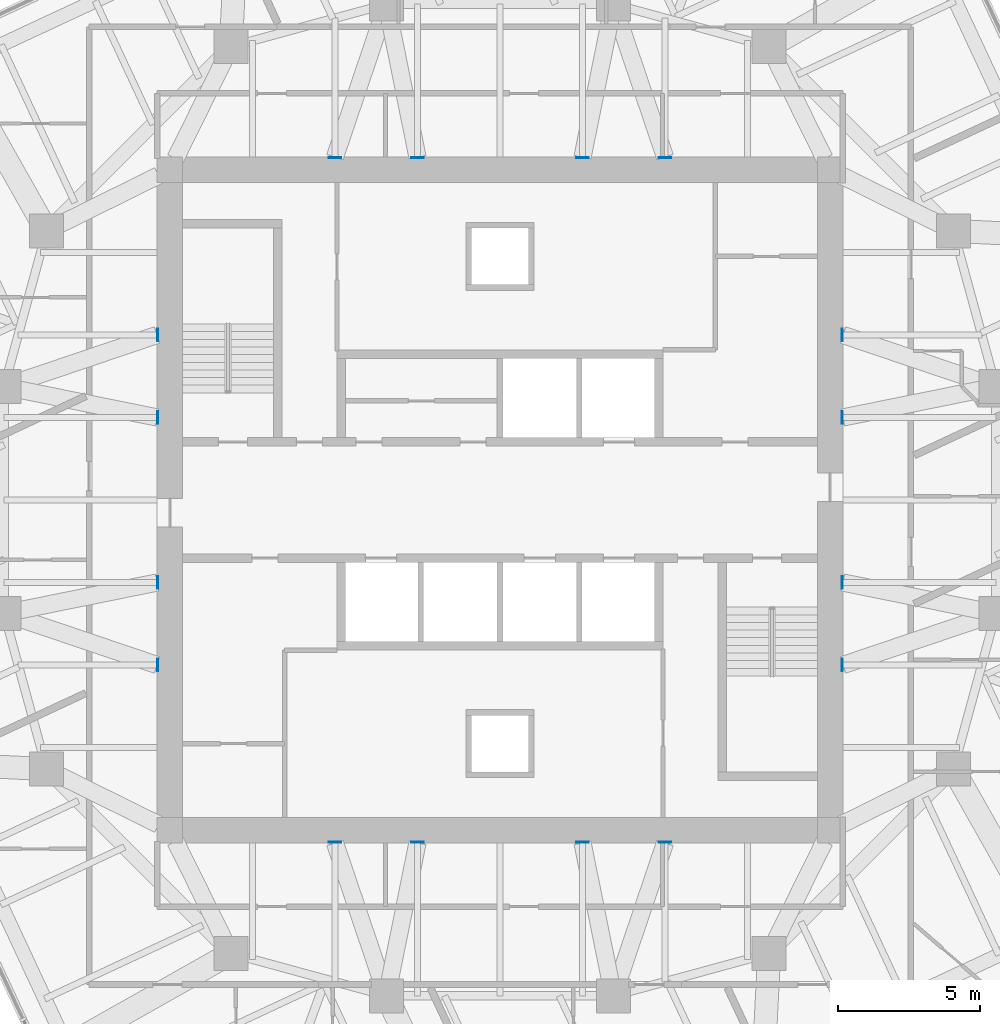
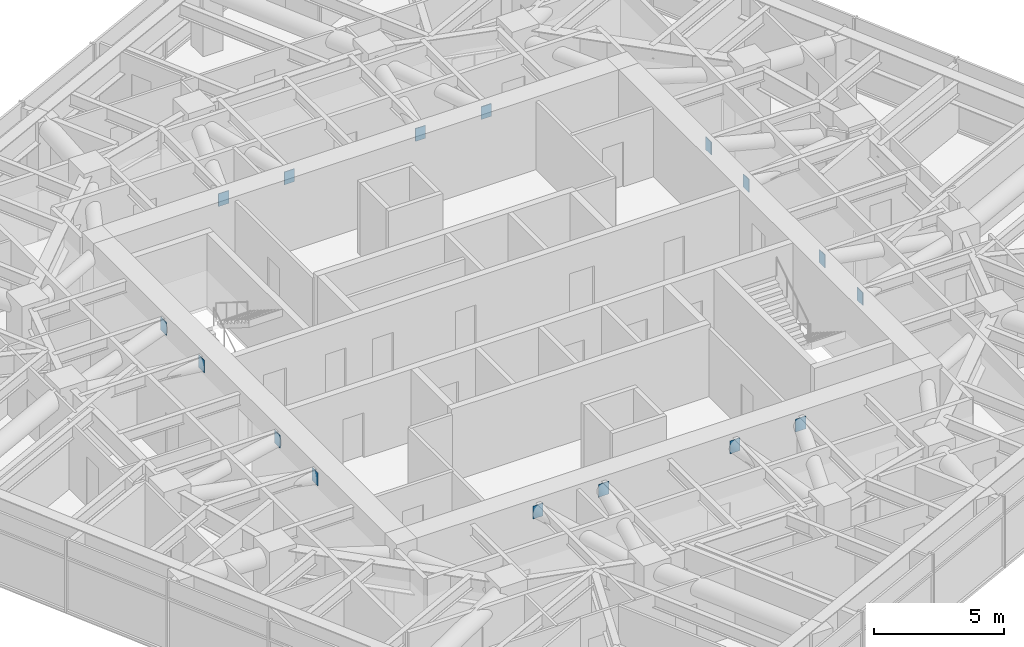
# One storey, part 15 of 16: 16 discrete accessories.
"""IFC4 building model written with IfcOpenShell, lengths in metres."""

import ifcopenshell
import ifcopenshell.guid

model = None  # the IFC model being written
_history = None  # IfcOwnerHistory: only IFC2X3 demands one
_inside = {}  # id of a spatial element -> (the spatial element, [elements in it])
_under = {}  # id of a project, library or spatial element -> (it, [spatial elements below it])
_declared = {}  # id of a project -> (the project, [libraries it declares])
_typed = {}  # id of a type object -> (the type object, [elements of that type])
_made_of = {}  # id of a material, layer set ... -> (it, [elements and type objects made of it])


def new_model(schema):
    """Start an empty IFC model of exactly this schema.

    Asked for "IFC4X3", IfcOpenShell would pick the latest addendum, in which some entities
    have other attributes; the version numbers below select the first issue.
    IFC2X3 requires an IfcOwnerHistory on every rooted entity: one is made here for all.
    """
    global model, _history
    if schema == "IFC4X3":
        model = ifcopenshell.file(schema_version=(4, 3, 0, 0))
    else:
        model = ifcopenshell.file(schema=schema)
    _inside.clear()
    _under.clear()
    _declared.clear()
    _typed.clear()
    _made_of.clear()
    _history = None
    if model.schema == "IFC2X3":
        org = make("IfcOrganization", Name="unknown")
        user = make(
            "IfcPersonAndOrganization",
            ThePerson=make("IfcPerson", FamilyName="unknown"),
            TheOrganization=org,
        )
        app = make(
            "IfcApplication",
            ApplicationDeveloper=org,
            Version="unknown",
            ApplicationFullName="unknown",
            ApplicationIdentifier="unknown",
        )
        _history = make(
            "IfcOwnerHistory",
            OwningUser=user,
            OwningApplication=app,
            ChangeAction="ADDED",
            CreationDate=0,
        )
    return model


def make(cls, **values):
    """One entity of the class cls with the attributes given. An attribute that is None is left unset."""
    return model.create_entity(
        cls, **{name: value for name, value in values.items() if value is not None}
    )


def rooted(cls, **values):
    """An entity with a GlobalId (a new one), such as an element, a storey or a relation."""
    return make(cls, GlobalId=ifcopenshell.guid.new(), OwnerHistory=_history, **values)


def si_unit(unit_type, name, prefix=None):
    """IfcSIUnit, for example si_unit("LENGTHUNIT", "METRE", prefix="MILLI")."""
    return make("IfcSIUnit", UnitType=unit_type, Prefix=prefix, Name=name)


def assignment(units):
    """IfcUnitAssignment: the units of a project."""
    return None if units is None else make("IfcUnitAssignment", Units=units)


def point(xyz):
    """IfcCartesianPoint."""
    return None if xyz is None else make("IfcCartesianPoint", Coordinates=xyz)


def direction(xyz):
    """IfcDirection."""
    return None if xyz is None else make("IfcDirection", DirectionRatios=xyz)


def frame(location, z_axis=None, x_axis=None):
    """IfcAxis2Placement3D, a coordinate frame: its origin and axes. An axis left out is left unset."""
    return make(
        "IfcAxis2Placement3D",
        Location=point(location),
        Axis=direction(z_axis),
        RefDirection=direction(x_axis),
    )


def frame_2d(location, x_axis=None):
    """IfcAxis2Placement2D, a coordinate frame in the plane: its origin and x axis."""
    return make(
        "IfcAxis2Placement2D", Location=point(location), RefDirection=direction(x_axis)
    )


def origin():
    """The frame at (0, 0, 0) with its axes left unset."""
    return frame((0.0, 0.0, 0.0))


def origin_2d():
    """The frame at (0, 0) in the plane with its x axis left unset."""
    return frame_2d((0.0, 0.0))


def place(relative_to, where):
    """IfcLocalPlacement: puts the frame where relative to a parent placement (None: the world)."""
    return make(
        "IfcLocalPlacement", PlacementRelTo=relative_to, RelativePlacement=where
    )


def context(
    kind, dimensions, precision=None, world=None, true_north=None, identifier=None
):
    """IfcGeometricRepresentationContext, for example the 3D "Model" context."""
    return make(
        "IfcGeometricRepresentationContext",
        ContextIdentifier=identifier,
        ContextType=kind,
        CoordinateSpaceDimension=dimensions,
        Precision=precision,
        WorldCoordinateSystem=world,
        TrueNorth=true_north,
    )


def subcontext(parent, identifier, kind, view, scale=None):
    """IfcGeometricRepresentationSubContext, for example "Body" below "Model"."""
    return make(
        "IfcGeometricRepresentationSubContext",
        ContextIdentifier=identifier,
        ContextType=kind,
        ParentContext=parent,
        TargetScale=scale,
        TargetView=view,
    )


def project(units=None, contexts=None):
    """IfcProject with its units and contexts."""
    return rooted(
        "IfcProject",
        Name="project",
        RepresentationContexts=contexts,
        UnitsInContext=assignment(units),
    )


def spatial(cls, under=None, at=None, **own):
    """A site, building, storey or space (cls), placed at a placement, below another one or the project."""
    s = rooted(cls, ObjectPlacement=at, **own)
    if under is not None:
        _under.setdefault(under.id(), (under, []))[1].append(s)
    return s


def profile(cls, at=None, kind="AREA", **sizes):
    """A parametric profile (cls). Its sizes go by their IFC names, for example OverallWidth=200.0."""
    return make(cls, ProfileType=kind, Position=at, **sizes)


def rectangle(**sizes):
    """IfcRectangleProfileDef."""
    return profile("IfcRectangleProfileDef", **sizes)


def extrude(swept, where, along, depth):
    """IfcExtrudedAreaSolid: the profile swept, set in the frame where, extruded along a direction by depth."""
    return make(
        "IfcExtrudedAreaSolid",
        SweptArea=swept,
        Position=where,
        ExtrudedDirection=direction(along),
        Depth=depth,
    )


def shape(context_of_items, identifier, shape_type, items):
    """IfcShapeRepresentation: the items that make up one representation, for example the "Body"."""
    return make(
        "IfcShapeRepresentation",
        ContextOfItems=context_of_items,
        RepresentationIdentifier=identifier,
        RepresentationType=shape_type,
        Items=items,
    )


def material(Name=None, Category=None):
    """IfcMaterial."""
    return make("IfcMaterial", Name=Name, Category=Category)


def layer(
    of_material, thickness, ventilated=None, Name=None, Category=None, Priority=None
):
    """IfcMaterialLayer: one layer of a wall or slab, of a material (None: an air gap)."""
    return make(
        "IfcMaterialLayer",
        Material=of_material,
        LayerThickness=thickness,
        IsVentilated=ventilated,
        Name=Name,
        Category=Category,
        Priority=Priority,
    )


def layer_set(layers, Name=None):
    """IfcMaterialLayerSet."""
    return make("IfcMaterialLayerSet", MaterialLayers=layers, LayerSetName=Name)


def made_of(thing, what):
    """Note that an element or type object is made of a material, layer set ...; save() writes the relation."""
    if what is not None:
        _made_of.setdefault(what.id(), (what, []))[1].append(thing)
    return thing


def type_object(cls, material=None, **own):
    """A type object (cls), such as IfcWallType, which elements share."""
    return made_of(rooted(cls, **own), material)


def element(
    cls,
    number,
    at=None,
    inside=None,
    cuts=None,
    type_object=None,
    material=None,
    context=None,
    identifier="Body",
    shape_type=None,
    held_by="IfcProductDefinitionShape",
    body=None,
    shapes=None,
    **own,
):
    """One element of the class cls, such as IfcWall. Its Tag is "e" and its number.

    at: its placement. inside: the storey or other place that contains it. cuts: it is an
    opening in that element (IfcRelVoidsElement). A single representation is given by context,
    identifier, shape_type and body (its items); several are given by shapes. held_by: the class
    of the entity that holds the representations. save() writes the other relations.
    """
    e = rooted(cls, Tag="e%d" % number, ObjectPlacement=at, **own)
    if body is not None:
        shapes = [shape(context, identifier, shape_type, body)]
    if shapes is not None:
        e.Representation = make(held_by, Representations=shapes)
    if inside is not None:
        _inside.setdefault(inside.id(), (inside, []))[1].append(e)
    if cuts is not None:
        rooted(
            "IfcRelVoidsElement", RelatingBuildingElement=cuts, RelatedOpeningElement=e
        )
    if type_object is not None:
        _typed.setdefault(type_object.id(), (type_object, []))[1].append(e)
    return made_of(e, material)


def aggregate(whole, parts):
    """IfcRelAggregates: a whole, such as a stair, and the parts it consists of."""
    return rooted("IfcRelAggregates", RelatingObject=whole, RelatedObjects=parts)


def save(model, path):
    """Write the relations noted so far, then the file.

    IfcRelAggregates (storeys below a building ...), IfcRelContainedInSpatialStructure (elements
    in a storey), IfcRelDefinesByType, IfcRelAssociatesMaterial and IfcRelDeclares: one each for
    every whole, place, type object, material and project.
    """
    for whole, parts in _under.values():
        aggregate(whole, parts)
    for where, things in _inside.values():
        rooted(
            "IfcRelContainedInSpatialStructure",
            RelatedElements=things,
            RelatingStructure=where,
        )
    for kind, things in _typed.values():
        rooted("IfcRelDefinesByType", RelatedObjects=things, RelatingType=kind)
    for what, things in _made_of.values():
        rooted("IfcRelAssociatesMaterial", RelatedObjects=things, RelatingMaterial=what)
    for by, libraries in _declared.values():
        rooted("IfcRelDeclares", RelatingContext=by, RelatedDefinitions=libraries)
    model.write(path)


model = new_model("IFC4")

# Units and contexts
model_context = context("Model", 3, precision=1e-05, world=origin(), true_north=direction((0.0, 1.0)))
body_context = subcontext(model_context, "Body", "Model", "MODEL_VIEW")
ifc_project = project(units=[si_unit("LENGTHUNIT", "METRE"), si_unit("AREAUNIT", "SQUARE_METRE"), si_unit("VOLUMEUNIT", "CUBIC_METRE"), si_unit("PLANEANGLEUNIT", "RADIAN"), si_unit("MASSUNIT", "GRAM", prefix="KILO")], contexts=[model_context])

# Site, building, storey
site_placement = place(None, origin())
site = spatial("IfcSite", under=ifc_project, at=site_placement, CompositionType="ELEMENT")
building_placement = place(site_placement, origin())
building = spatial("IfcBuilding", under=site, at=building_placement, Name="Torsade Residences", CompositionType="ELEMENT")
storey_placement = place(building_placement, frame((0.0, 0.0, 199.800048828125)))
storey = spatial("IfcBuildingStorey", under=building, at=storey_placement, Name="L55", CompositionType="ELEMENT", Elevation=199.800048828125)

# Discrete accessories
ifc_material = material(Name="Steel grade 350", Category="steel")
ifc_layer = layer(ifc_material, 0.031982421875)
ifc_layer_set = layer_set([ifc_layer], Name="Steel grade 350")
discrete_accessory_type = type_object("IfcDiscreteAccessoryType", Name="CAST-IN PLATE 450x600x32", PredefinedType="ANCHORPLATE", material=ifc_layer_set)
for number, where, z_axis, x_axis, name in (
    (1, (52.083984375, 27.08740234375, 2.48583984375), (0.0, 0.0, 1.0), (1.0, 0.0, 0.0), "Cast-in plate PB1 PB-L56-IR01IE03"),
    (2, (52.083984375, 24.175048828125, 2.48583984375), (0.0, 0.0, 1.0), (1.0, 0.0, 0.0), "Cast-in plate PB1 PB-L56-IR01IE02"),
    (3, (52.083984375, 32.91259765625, 2.48583984375), (0.0, 0.0, 1.0), (1.0, 0.0, 0.0), "Cast-in plate PB1 PB-L56-IR02IE05"),
    (4, (52.083984375, 35.824951171875, 2.48583984375), (0.0, 0.0, 1.0), (1.0, 0.0, 0.0), "Cast-in plate PB1 PB-L56-IR02IE06"),
):
    element("IfcDiscreteAccessory", number, at=place(storey_placement, frame(where, z_axis=z_axis, x_axis=x_axis)), inside=storey, type_object=discrete_accessory_type, Name=name, PredefinedType="ANCHORPLATE", context=body_context, shape_type="SweptSolid", body=[
        extrude(rectangle(XDim=0.031982421875, YDim=0.449951171875, at=origin_2d()), origin(), (0.0, 0.0, 1.0), 0.60009765625),
    ])
for number, where, z_axis, x_axis, name in (
    (5, (42.91259765625, 42.083984375, 2.48583984375), (0.0, 0.0, 1.0), (1.0, 0.0, 0.0), "Cast-in plate PB1 PB-L56-IR05IN05"),
    (6, (45.824951171875, 42.083984375, 2.48583984375), (0.0, 0.0, 1.0), (1.0, 0.0, 0.0), "Cast-in plate PB1 PB-L56-IR05IN06"),
    (7, (37.08740234375, 42.083984375, 2.48583984375), (0.0, 0.0, 1.0), (1.0, 0.0, 0.0), "Cast-in plate PB1 PB-L56-IR06IN03"),
    (8, (34.175048828125, 42.083984375, 2.48583984375), (0.0, 0.0, 1.0), (1.0, 0.0, 0.0), "Cast-in plate PB1 PB-L56-IR06IN02"),
):
    element("IfcDiscreteAccessory", number, at=place(storey_placement, frame(where, z_axis=z_axis, x_axis=x_axis)), inside=storey, type_object=discrete_accessory_type, Name=name, PredefinedType="ANCHORPLATE", context=body_context, shape_type="SweptSolid", body=[
        extrude(rectangle(XDim=0.449951171875, YDim=0.031982421875, at=origin_2d()), origin(), (0.0, 0.0, 1.0), 0.60009765625),
    ])
for number, where, z_axis, x_axis, name in (
    (9, (27.916015625, 32.91259765625, 2.48583984375), (0.0, 0.0, 1.0), (1.0, 0.0, 0.0), "Cast-in plate PB1 PB-L56-IR09IW03"),
    (10, (27.916015625, 35.824951171875, 2.48583984375), (0.0, 0.0, 1.0), (1.0, 0.0, 0.0), "Cast-in plate PB1 PB-L56-IR09IW02"),
    (11, (27.916015625, 27.08740234375, 2.48583984375), (0.0, 0.0, 1.0), (1.0, 0.0, 0.0), "Cast-in plate PB1 PB-L56-IR10IW05"),
    (12, (27.916015625, 24.175048828125, 2.48583984375), (0.0, 0.0, 1.0), (1.0, 0.0, 0.0), "Cast-in plate PB1 PB-L56-IR10IW06"),
):
    element("IfcDiscreteAccessory", number, at=place(storey_placement, frame(where, z_axis=z_axis, x_axis=x_axis)), inside=storey, type_object=discrete_accessory_type, Name=name, PredefinedType="ANCHORPLATE", context=body_context, shape_type="SweptSolid", body=[
        extrude(rectangle(XDim=0.031982421875, YDim=0.449951171875, at=origin_2d()), origin(), (0.0, 0.0, 1.0), 0.60009765625),
    ])
for number, where, z_axis, x_axis, name in (
    (13, (37.08740234375, 17.916015625, 2.48583984375), (0.0, 0.0, 1.0), (1.0, 0.0, 0.0), "Cast-in plate PB1 PB-L56-IR13IS05"),
    (14, (34.175048828125, 17.916015625, 2.48583984375), (0.0, 0.0, 1.0), (1.0, 0.0, 0.0), "Cast-in plate PB1 PB-L56-IR13IS06"),
    (15, (42.91259765625, 17.916015625, 2.48583984375), (0.0, 0.0, 1.0), (1.0, 0.0, 0.0), "Cast-in plate PB1 PB-L56-IR14IS03"),
    (16, (45.824951171875, 17.916015625, 2.48583984375), (0.0, 0.0, 1.0), (1.0, 0.0, 0.0), "Cast-in plate PB1 PB-L56-IR14IS02"),
):
    element("IfcDiscreteAccessory", number, at=place(storey_placement, frame(where, z_axis=z_axis, x_axis=x_axis)), inside=storey, type_object=discrete_accessory_type, Name=name, PredefinedType="ANCHORPLATE", context=body_context, shape_type="SweptSolid", body=[
        extrude(rectangle(XDim=0.449951171875, YDim=0.031982421875, at=origin_2d()), origin(), (0.0, 0.0, 1.0), 0.60009765625),
    ])

save(model, "model.ifc")
